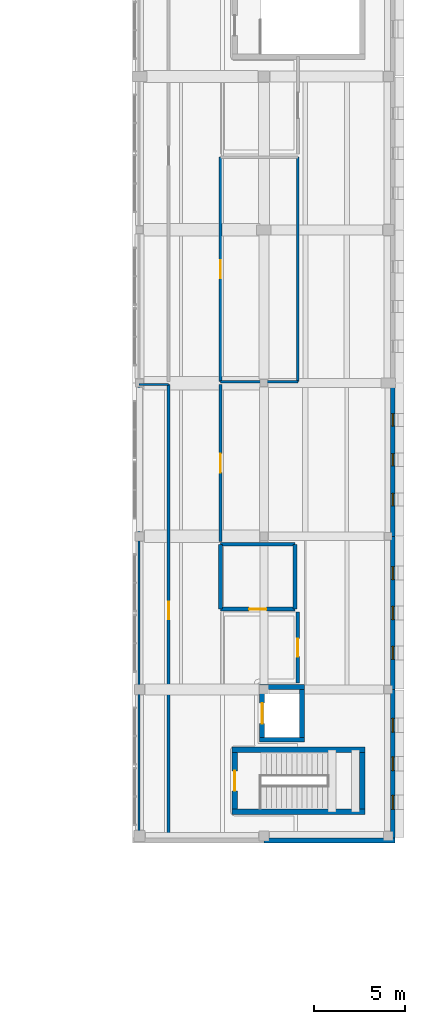
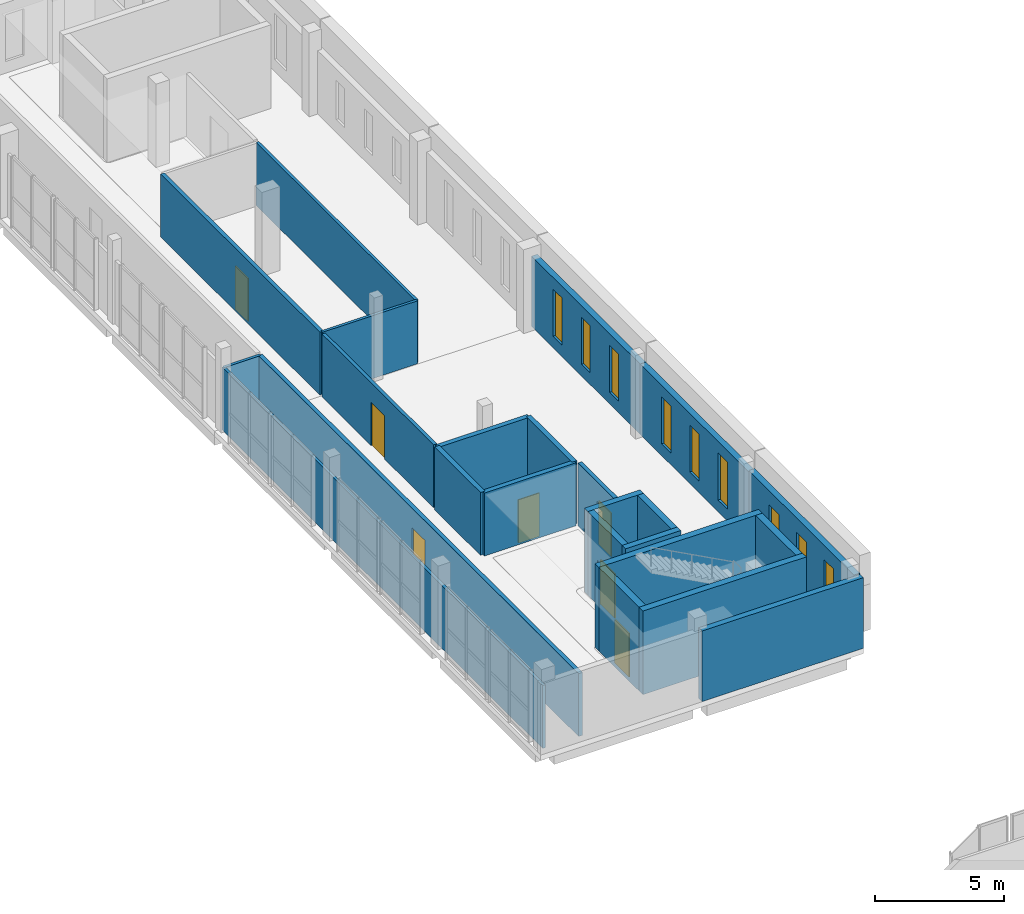
# One storey, part 44 of 56: 24 walls, 9 windows, 7 doors, 16 openings.
"""IFC4 building model written with IfcOpenShell, lengths in metres."""

from ifc_helpers import new_model, si_unit, direction, frame, frame_2d, origin, place, context, subcontext, project, spatial, rectangle, extrude, material, layer, layer_set, type_object, element, fill, save


model = new_model("IFC4")

# Units and contexts
model_context = context("Model", 3, precision=1e-05, world=origin(), true_north=direction((0.0, 1.0)))
body_context = subcontext(model_context, "Body", "Model", "MODEL_VIEW")
ifc_project = project(units=[si_unit("LENGTHUNIT", "METRE"), si_unit("AREAUNIT", "SQUARE_METRE"), si_unit("VOLUMEUNIT", "CUBIC_METRE"), si_unit("PLANEANGLEUNIT", "RADIAN"), si_unit("MASSUNIT", "GRAM", prefix="KILO")], contexts=[model_context])

# Site, building, storey
site_placement = place(None, origin())
site = spatial("IfcSite", under=ifc_project, at=site_placement, CompositionType="ELEMENT")
building_placement = place(site_placement, origin())
building = spatial("IfcBuilding", under=site, at=building_placement, Name="Vardoun Plaza Health Centre", CompositionType="ELEMENT")
storey_placement = place(building_placement, frame((0.0, 0.0, 8.699951171875)))
storey = spatial("IfcBuildingStorey", under=building, at=storey_placement, Name="L02", CompositionType="ELEMENT", Elevation=8.699951171875)

# Wall
ifc_material_1 = material(Name="Concrete C40/50", Category="concrete")
ifc_layer_1 = layer(ifc_material_1, 0.27001953125)
ifc_layer_set_1 = layer_set([ifc_layer_1], Name="Concrete C40/50")
wall_type_1 = type_object("IfcWallType", Name="SW-03", PredefinedType="SHEAR", material=ifc_layer_set_1)
wall_1_placement = place(storey_placement, frame((160.3349609375, 41.949951171875, 0.0), z_axis=(0.0, 0.0, 1.0), x_axis=(-1.0, 0.0, 0.0)))
element("IfcWall", 1, at=wall_1_placement, inside=storey, type_object=wall_type_1, Name="Lift LP-05 L02 Shaft Wall S", PredefinedType="SHEAR", context=body_context, shape_type="SweptSolid", body=[
    extrude(rectangle(XDim=2.469970703125, YDim=0.27001953125, at=frame_2d((1.23486328125, 0.0))), origin(), (0.0, 0.0, 1.0), 3.949951171875),
])

# Wall, opening, door
wall_2_placement = place(storey_placement, frame((158.0, 42.0849609375, 0.0), z_axis=(0.0, 0.0, 1.0), x_axis=(0.0, 1.0, 0.0)))
wall_2 = element("IfcWall", 2, at=wall_2_placement, inside=storey, type_object=wall_type_1, Name="Lift LP-05 L02 Shaft Wall W", PredefinedType="SHEAR", context=body_context, shape_type="SweptSolid", body=[
    extrude(rectangle(XDim=2.630126953125, YDim=0.27001953125, at=frame_2d((1.31494140625, 0.0))), origin(), (0.0, 0.0, 1.0), 3.949951171875),
])
opening_1_placement = place(wall_2_placement, frame((0.7548828125, 0.0, 0.0)))
opening_1 = element("IfcOpeningElement", 3, at=opening_1_placement, cuts=wall_2, Name="Opening LD-LP-05-L02", PredefinedType="OPENING", context=body_context, shape_type="SweptSolid", body=[
    extrude(rectangle(XDim=1.1201171875, YDim=2.10009765625, at=frame_2d((0.56005859375, 1.050048828125))), frame((0.0, 0.135009765625, 0.0), z_axis=(0.0, -1.0, 0.0), x_axis=(1.0, 0.0, 0.0)), (0.0, 0.0, 1.0), 0.27001953125),
])
ifc_material_2 = material(Name="Brushed Stainless Steel Grade 316L", Category="steel")
door_type_1 = type_object("IfcDoorType", Name="LD-01", OperationType="DOUBLE_DOOR_SLIDING", PredefinedType="DOOR", material=ifc_material_2)
door_1_placement = place(opening_1_placement, origin())
door_1 = element("IfcDoor", 4, at=door_1_placement, inside=storey, type_object=door_type_1, Name="Lift LP-05 L02 Sliding Landing Door", OperationType="DOUBLE_DOOR_SLIDING", OverallHeight=2.10009765625, OverallWidth=1.1201171875, PredefinedType="DOOR", context=body_context, shape_type="SweptSolid", body=[
    extrude(rectangle(XDim=1.1201171875, YDim=2.10009765625, at=frame_2d((0.56005859375, 1.050048828125))), frame((0.0, 0.02490234375, 0.0), z_axis=(0.0, -1.0, 0.0), x_axis=(1.0, 0.0, 0.0)), (0.0, 0.0, 1.0), 0.050048828125),
])
fill(opening_1, door_1)

# Walls
wall_3_placement = place(storey_placement, frame((157.864990234375, 44.85009765625, 0.0), z_axis=(0.0, 0.0, 1.0), x_axis=(1.0, 0.0, 0.0)))
element("IfcWall", 5, at=wall_3_placement, inside=storey, type_object=wall_type_1, Name="Lift LP-05 L02 Shaft Wall N", PredefinedType="SHEAR", context=body_context, shape_type="SweptSolid", body=[
    extrude(rectangle(XDim=2.469970703125, YDim=0.27001953125, at=frame_2d((1.23486328125, 0.0))), origin(), (0.0, 0.0, 1.0), 3.949951171875),
])
wall_4_placement = place(storey_placement, frame((160.199951171875, 44.715087890625, 0.0), z_axis=(0.0, 0.0, 1.0), x_axis=(0.0, -1.0, 0.0)))
element("IfcWall", 6, at=wall_4_placement, inside=storey, type_object=wall_type_1, Name="Lift LP-05 L02 Shaft Wall E", PredefinedType="SHEAR", context=body_context, shape_type="SweptSolid", body=[
    extrude(rectangle(XDim=2.630126953125, YDim=0.27001953125, at=frame_2d((1.31494140625, 0.0))), origin(), (0.0, 0.0, 1.0), 3.949951171875),
])
ifc_material_3 = material(Name="Concrete C40/50", Category="concrete")
ifc_layer_2 = layer(ifc_material_3, 0.300048828125)
ifc_layer_set_2 = layer_set([ifc_layer_2], Name="Concrete C40/50")
wall_type_2 = type_object("IfcWallType", Name="SW-01", PredefinedType="SHEAR", material=ifc_layer_set_2)
wall_5_placement = place(storey_placement, frame((163.64990234375, 38.0, 0.0), z_axis=(0.0, 0.0, 1.0), x_axis=(-1.0, 0.0, 0.0)))
element("IfcWall", 7, at=wall_5_placement, inside=storey, type_object=wall_type_2, Name="Core C10 L02 Shear Wall S", PredefinedType="SHEAR", context=body_context, shape_type="SweptSolid", body=[
    extrude(rectangle(XDim=7.2998046875, YDim=0.300048828125, at=frame_2d((3.64990234375, 0.0))), origin(), (0.0, 0.0, 1.0), 3.949951171875),
])

# Wall, opening, door
wall_6_placement = place(storey_placement, frame((156.5, 38.14990234375, 0.0), z_axis=(0.0, 0.0, 1.0), x_axis=(0.0, 1.0, 0.0)))
wall_6 = element("IfcWall", 8, at=wall_6_placement, inside=storey, type_object=wall_type_2, Name="Core C10 L02 Shear Wall W", PredefinedType="SHEAR", context=body_context, shape_type="SweptSolid", body=[
    extrude(rectangle(XDim=3.10009765625, YDim=0.300048828125, at=frame_2d((1.550048828125, 0.0))), origin(), (0.0, 0.0, 1.0), 3.949951171875),
])
opening_2_placement = place(wall_6_placement, frame((1.0, 0.0, 0.0)))
opening_2 = element("IfcOpeningElement", 9, at=opening_2_placement, cuts=wall_6, Name="Opening SD-C10-L02", PredefinedType="OPENING", context=body_context, shape_type="SweptSolid", body=[
    extrude(rectangle(XDim=1.10009765625, YDim=2.050048828125, at=frame_2d((0.550048828125, 1.02490234375))), frame((0.0, 0.14990234375, 0.0), z_axis=(0.0, -1.0, 0.0), x_axis=(1.0, 0.0, 0.0)), (0.0, 0.0, 1.0), 0.300048828125),
])
ifc_material_4 = material(Name="Brushed Stainless Steel Grade 316L", Category="steel")
door_type_2 = type_object("IfcDoorType", Name="FD-01", OperationType="NOTDEFINED", PredefinedType="DOOR", material=ifc_material_4)
door_2_placement = place(opening_2_placement, origin())
door_2 = element("IfcDoor", 10, at=door_2_placement, inside=storey, type_object=door_type_2, Name="Stair C10 L02 Fire Door", OperationType="SINGLE_SWING_RIGHT", OverallHeight=2.050048828125, OverallWidth=1.10009765625, PredefinedType="DOOR", context=body_context, shape_type="SweptSolid", body=[
    extrude(rectangle(XDim=1.10009765625, YDim=2.050048828125, at=frame_2d((0.550048828125, 1.02490234375))), frame((0.0, 0.02490234375, 0.0), z_axis=(0.0, -1.0, 0.0), x_axis=(1.0, 0.0, 0.0)), (0.0, 0.0, 1.0), 0.050048828125),
])
fill(opening_2, door_2)

# Walls
wall_7_placement = place(storey_placement, frame((156.35009765625, 41.39990234375, 0.0), z_axis=(0.0, 0.0, 1.0), x_axis=(1.0, 0.0, 0.0)))
element("IfcWall", 11, at=wall_7_placement, inside=storey, type_object=wall_type_2, Name="Core C10 L02 Shear Wall N", PredefinedType="SHEAR", context=body_context, shape_type="SweptSolid", body=[
    extrude(rectangle(XDim=7.2998046875, YDim=0.300048828125, at=frame_2d((3.64990234375, 0.0))), origin(), (0.0, 0.0, 1.0), 3.949951171875),
])
wall_8_placement = place(storey_placement, frame((163.5, 41.25, 0.0), z_axis=(0.0, 0.0, 1.0), x_axis=(0.0, -1.0, 0.0)))
element("IfcWall", 12, at=wall_8_placement, inside=storey, type_object=wall_type_2, Name="Core C10 L02 Shear Wall E", PredefinedType="SHEAR", context=body_context, shape_type="SweptSolid", body=[
    extrude(rectangle(XDim=3.10009765625, YDim=0.300048828125, at=frame_2d((1.550048828125, 0.0))), origin(), (0.0, 0.0, 1.0), 3.949951171875),
])

# Wall, openings, windows
ifc_material_5 = material(Name="Pale Limestone Concrete C35/45", Category="masonry")
ifc_layer_3 = layer(ifc_material_5, 0.264892578125)
ifc_layer_set_3 = layer_set([ifc_layer_3], Name="Pale Limestone Concrete C35/45")
wall_type_3 = type_object("IfcWallType", Name="EW-06", PredefinedType="STANDARD", material=ifc_layer_set_3)
wall_9_placement = place(storey_placement, frame((165.16748046875, 61.5, 0.0), z_axis=(0.0, 0.0, 1.0), x_axis=(0.0, -1.0, 0.0)))
wall_9 = element("IfcWall", 13, at=wall_9_placement, inside=storey, type_object=wall_type_3, Name="V6 L02 Exterior Wall EW-V6-440", PredefinedType="STANDARD", context=body_context, shape_type="SweptSolid", body=[
    extrude(rectangle(XDim=8.39990234375, YDim=0.264892578125, at=frame_2d((4.199951171875, 0.0))), origin(), (0.0, 0.0, 1.0), 3.31494140625),
])
opening_3_placement = place(wall_9_placement, frame((1.676025390625, 0.0, 0.550048828125)))
opening_3 = element("IfcOpeningElement", 14, at=opening_3_placement, cuts=wall_9, Name="Opening W-13-018", PredefinedType="OPENING", context=body_context, shape_type="SweptSolid", body=[
    extrude(rectangle(XDim=0.679931640625, YDim=2.219970703125, at=frame_2d((0.33984375, 1.10986328125))), frame((0.0, 0.13232421875, 0.0), z_axis=(0.0, -1.0, 0.0), x_axis=(1.0, 0.0, 0.0)), (0.0, 0.0, 1.0), 0.264892578125),
])
opening_4_placement = place(wall_9_placement, frame((3.860107421875, 0.0, 0.550048828125)))
opening_4 = element("IfcOpeningElement", 15, at=opening_4_placement, cuts=wall_9, Name="Opening W-13-019", PredefinedType="OPENING", context=body_context, shape_type="SweptSolid", body=[
    extrude(rectangle(XDim=0.679931640625, YDim=2.219970703125, at=frame_2d((0.33984375, 1.10986328125))), frame((0.0, 0.13232421875, 0.0), z_axis=(0.0, -1.0, 0.0), x_axis=(1.0, 0.0, 0.0)), (0.0, 0.0, 1.0), 0.264892578125),
])
opening_5_placement = place(wall_9_placement, frame((6.0439453125, 0.0, 0.550048828125)))
opening_5 = element("IfcOpeningElement", 16, at=opening_5_placement, cuts=wall_9, Name="Opening W-13-020", PredefinedType="OPENING", context=body_context, shape_type="SweptSolid", body=[
    extrude(rectangle(XDim=0.679931640625, YDim=2.219970703125, at=frame_2d((0.33984375, 1.10986328125))), frame((0.0, 0.13232421875, 0.0), z_axis=(0.0, -1.0, 0.0), x_axis=(1.0, 0.0, 0.0)), (0.0, 0.0, 1.0), 0.264892578125),
])
ifc_material_6 = material(Name="Aluminium Alloy EN AW-6063-T6 and Low-E Glass", Category="aluminium")
window_type_1 = type_object("IfcWindowType", Name="W-13", PartitioningType="SINGLE_PANEL", PredefinedType="WINDOW", material=ifc_material_6)
window_1_placement = place(opening_3_placement, origin())
window_1 = element("IfcWindow", 17, at=window_1_placement, inside=storey, type_object=window_type_1, Name="V6 L02 Deep-Punched Slot Window W-13-687", OverallHeight=2.219970703125, OverallWidth=0.679931640625, PartitioningType="SINGLE_PANEL", PredefinedType="WINDOW", context=body_context, shape_type="SweptSolid", body=[
    extrude(rectangle(XDim=0.679931640625, YDim=2.219970703125, at=frame_2d((0.33984375, 1.10986328125))), frame((0.0, 0.030029296875, 0.0), z_axis=(0.0, -1.0, 0.0), x_axis=(1.0, 0.0, 0.0)), (0.0, 0.0, 1.0), 0.06005859375),
])
fill(opening_3, window_1)
window_2_placement = place(opening_4_placement, origin())
window_2 = element("IfcWindow", 18, at=window_2_placement, inside=storey, type_object=window_type_1, Name="V6 L02 Deep-Punched Slot Window W-13-688", OverallHeight=2.219970703125, OverallWidth=0.679931640625, PartitioningType="SINGLE_PANEL", PredefinedType="WINDOW", context=body_context, shape_type="SweptSolid", body=[
    extrude(rectangle(XDim=0.679931640625, YDim=2.219970703125, at=frame_2d((0.33984375, 1.10986328125))), frame((0.0, 0.030029296875, 0.0), z_axis=(0.0, -1.0, 0.0), x_axis=(1.0, 0.0, 0.0)), (0.0, 0.0, 1.0), 0.06005859375),
])
fill(opening_4, window_2)
window_3_placement = place(opening_5_placement, origin())
window_3 = element("IfcWindow", 19, at=window_3_placement, inside=storey, type_object=window_type_1, Name="V6 L02 Deep-Punched Slot Window W-13-689", OverallHeight=2.219970703125, OverallWidth=0.679931640625, PartitioningType="SINGLE_PANEL", PredefinedType="WINDOW", context=body_context, shape_type="SweptSolid", body=[
    extrude(rectangle(XDim=0.679931640625, YDim=2.219970703125, at=frame_2d((0.33984375, 1.10986328125))), frame((0.0, 0.030029296875, 0.0), z_axis=(0.0, -1.0, 0.0), x_axis=(1.0, 0.0, 0.0)), (0.0, 0.0, 1.0), 0.06005859375),
])
fill(opening_5, window_3)

wall_10_placement = place(storey_placement, frame((165.16748046875, 53.10009765625, 0.0), z_axis=(0.0, 0.0, 1.0), x_axis=(0.0, -1.0, 0.0)))
wall_10 = element("IfcWall", 20, at=wall_10_placement, inside=storey, type_object=wall_type_3, Name="V6 L02 Exterior Wall EW-V6-441", PredefinedType="STANDARD", context=body_context, shape_type="SweptSolid", body=[
    extrude(rectangle(XDim=8.400146484375, YDim=0.264892578125, at=frame_2d((4.2001953125, 0.0))), origin(), (0.0, 0.0, 1.0), 3.31494140625),
])
opening_6_placement = place(wall_10_placement, frame((1.656005859375, 0.0, 0.550048828125)))
opening_6 = element("IfcOpeningElement", 21, at=opening_6_placement, cuts=wall_10, Name="Opening W-14-011", PredefinedType="OPENING", context=body_context, shape_type="SweptSolid", body=[
    extrude(rectangle(XDim=0.719970703125, YDim=2.219970703125, at=frame_2d((0.35986328125, 1.10986328125))), frame((0.0, 0.13232421875, 0.0), z_axis=(0.0, -1.0, 0.0), x_axis=(1.0, 0.0, 0.0)), (0.0, 0.0, 1.0), 0.264892578125),
])
opening_7_placement = place(wall_10_placement, frame((3.840087890625, 0.0, 0.550048828125)))
opening_7 = element("IfcOpeningElement", 22, at=opening_7_placement, cuts=wall_10, Name="Opening W-14-012", PredefinedType="OPENING", context=body_context, shape_type="SweptSolid", body=[
    extrude(rectangle(XDim=0.719970703125, YDim=2.219970703125, at=frame_2d((0.35986328125, 1.10986328125))), frame((0.0, 0.13232421875, 0.0), z_axis=(0.0, -1.0, 0.0), x_axis=(1.0, 0.0, 0.0)), (0.0, 0.0, 1.0), 0.264892578125),
])
opening_8_placement = place(wall_10_placement, frame((6.02392578125, 0.0, 0.550048828125)))
opening_8 = element("IfcOpeningElement", 23, at=opening_8_placement, cuts=wall_10, Name="Opening W-14-013", PredefinedType="OPENING", context=body_context, shape_type="SweptSolid", body=[
    extrude(rectangle(XDim=0.719970703125, YDim=2.219970703125, at=frame_2d((0.35986328125, 1.10986328125))), frame((0.0, 0.13232421875, 0.0), z_axis=(0.0, -1.0, 0.0), x_axis=(1.0, 0.0, 0.0)), (0.0, 0.0, 1.0), 0.264892578125),
])
ifc_material_7 = material(Name="Aluminium Alloy EN AW-6063-T6 and Low-E Glass", Category="aluminium")
window_type_2 = type_object("IfcWindowType", Name="W-14", PartitioningType="SINGLE_PANEL", PredefinedType="WINDOW", material=ifc_material_7)
window_4_placement = place(opening_6_placement, origin())
window_4 = element("IfcWindow", 24, at=window_4_placement, inside=storey, type_object=window_type_2, Name="V6 L02 Deep-Punched Slot Window W-14-690", OverallHeight=2.219970703125, OverallWidth=0.719970703125, PartitioningType="SINGLE_PANEL", PredefinedType="WINDOW", context=body_context, shape_type="SweptSolid", body=[
    extrude(rectangle(XDim=0.719970703125, YDim=2.219970703125, at=frame_2d((0.35986328125, 1.10986328125))), frame((0.0, 0.030029296875, 0.0), z_axis=(0.0, -1.0, 0.0), x_axis=(1.0, 0.0, 0.0)), (0.0, 0.0, 1.0), 0.06005859375),
])
fill(opening_6, window_4)
window_5_placement = place(opening_7_placement, origin())
window_5 = element("IfcWindow", 25, at=window_5_placement, inside=storey, type_object=window_type_2, Name="V6 L02 Deep-Punched Slot Window W-14-691", OverallHeight=2.219970703125, OverallWidth=0.719970703125, PartitioningType="SINGLE_PANEL", PredefinedType="WINDOW", context=body_context, shape_type="SweptSolid", body=[
    extrude(rectangle(XDim=0.719970703125, YDim=2.219970703125, at=frame_2d((0.35986328125, 1.10986328125))), frame((0.0, 0.030029296875, 0.0), z_axis=(0.0, -1.0, 0.0), x_axis=(1.0, 0.0, 0.0)), (0.0, 0.0, 1.0), 0.06005859375),
])
fill(opening_7, window_5)
window_6_placement = place(opening_8_placement, origin())
window_6 = element("IfcWindow", 26, at=window_6_placement, inside=storey, type_object=window_type_2, Name="V6 L02 Deep-Punched Slot Window W-14-692", OverallHeight=2.219970703125, OverallWidth=0.719970703125, PartitioningType="SINGLE_PANEL", PredefinedType="WINDOW", context=body_context, shape_type="SweptSolid", body=[
    extrude(rectangle(XDim=0.719970703125, YDim=2.219970703125, at=frame_2d((0.35986328125, 1.10986328125))), frame((0.0, 0.030029296875, 0.0), z_axis=(0.0, -1.0, 0.0), x_axis=(1.0, 0.0, 0.0)), (0.0, 0.0, 1.0), 0.06005859375),
])
fill(opening_8, window_6)

wall_11_placement = place(storey_placement, frame((165.16748046875, 44.699951171875, 0.0), z_axis=(0.0, 0.0, 1.0), x_axis=(0.0, -1.0, 0.0)))
wall_11 = element("IfcWall", 27, at=wall_11_placement, inside=storey, type_object=wall_type_3, Name="V6 L02 Exterior Wall EW-V6-442", PredefinedType="STANDARD", context=body_context, shape_type="SweptSolid", body=[
    extrude(rectangle(XDim=8.135009765625, YDim=0.264892578125, at=frame_2d((4.0673828125, 0.0))), origin(), (0.0, 0.0, 1.0), 3.385009765625),
])
opening_9_placement = place(wall_11_placement, frame((1.572509765625, 0.0, 0.550048828125)))
opening_9 = element("IfcOpeningElement", 28, at=opening_9_placement, cuts=wall_11, Name="Opening W-15-010", PredefinedType="OPENING", context=body_context, shape_type="SweptSolid", body=[
    extrude(rectangle(XDim=0.760009765625, YDim=2.159912109375, at=frame_2d((0.3798828125, 1.080078125))), frame((0.0, 0.13232421875, 0.0), z_axis=(0.0, -1.0, 0.0), x_axis=(1.0, 0.0, 0.0)), (0.0, 0.0, 1.0), 0.264892578125),
])
opening_10_placement = place(wall_11_placement, frame((3.6875, 0.0, 0.550048828125)))
opening_10 = element("IfcOpeningElement", 29, at=opening_10_placement, cuts=wall_11, Name="Opening W-15-011", PredefinedType="OPENING", context=body_context, shape_type="SweptSolid", body=[
    extrude(rectangle(XDim=0.760009765625, YDim=2.159912109375, at=frame_2d((0.3798828125, 1.080078125))), frame((0.0, 0.13232421875, 0.0), z_axis=(0.0, -1.0, 0.0), x_axis=(1.0, 0.0, 0.0)), (0.0, 0.0, 1.0), 0.264892578125),
])
opening_11_placement = place(wall_11_placement, frame((5.802490234375, 0.0, 0.550048828125)))
opening_11 = element("IfcOpeningElement", 30, at=opening_11_placement, cuts=wall_11, Name="Opening W-15-012", PredefinedType="OPENING", context=body_context, shape_type="SweptSolid", body=[
    extrude(rectangle(XDim=0.760009765625, YDim=2.159912109375, at=frame_2d((0.3798828125, 1.080078125))), frame((0.0, 0.13232421875, 0.0), z_axis=(0.0, -1.0, 0.0), x_axis=(1.0, 0.0, 0.0)), (0.0, 0.0, 1.0), 0.264892578125),
])
ifc_material_8 = material(Name="Aluminium Alloy EN AW-6063-T6 and Low-E Glass", Category="aluminium")
window_type_3 = type_object("IfcWindowType", Name="W-15", PartitioningType="SINGLE_PANEL", PredefinedType="WINDOW", material=ifc_material_8)
window_7_placement = place(opening_9_placement, origin())
window_7 = element("IfcWindow", 31, at=window_7_placement, inside=storey, type_object=window_type_3, Name="V6 L02 Deep-Punched Slot Window W-15-693", OverallHeight=2.159912109375, OverallWidth=0.760009765625, PartitioningType="SINGLE_PANEL", PredefinedType="WINDOW", context=body_context, shape_type="SweptSolid", body=[
    extrude(rectangle(XDim=0.760009765625, YDim=2.159912109375, at=frame_2d((0.3798828125, 1.080078125))), frame((0.0, 0.030029296875, 0.0), z_axis=(0.0, -1.0, 0.0), x_axis=(1.0, 0.0, 0.0)), (0.0, 0.0, 1.0), 0.06005859375),
])
fill(opening_9, window_7)
window_8_placement = place(opening_10_placement, origin())
window_8 = element("IfcWindow", 32, at=window_8_placement, inside=storey, type_object=window_type_3, Name="V6 L02 Deep-Punched Slot Window W-15-694", OverallHeight=2.159912109375, OverallWidth=0.760009765625, PartitioningType="SINGLE_PANEL", PredefinedType="WINDOW", context=body_context, shape_type="SweptSolid", body=[
    extrude(rectangle(XDim=0.760009765625, YDim=2.159912109375, at=frame_2d((0.3798828125, 1.080078125))), frame((0.0, 0.030029296875, 0.0), z_axis=(0.0, -1.0, 0.0), x_axis=(1.0, 0.0, 0.0)), (0.0, 0.0, 1.0), 0.06005859375),
])
fill(opening_10, window_8)
window_9_placement = place(opening_11_placement, origin())
window_9 = element("IfcWindow", 33, at=window_9_placement, inside=storey, type_object=window_type_3, Name="V6 L02 Deep-Punched Slot Window W-15-695", OverallHeight=2.159912109375, OverallWidth=0.760009765625, PartitioningType="SINGLE_PANEL", PredefinedType="WINDOW", context=body_context, shape_type="SweptSolid", body=[
    extrude(rectangle(XDim=0.760009765625, YDim=2.159912109375, at=frame_2d((0.3798828125, 1.080078125))), frame((0.0, 0.030029296875, 0.0), z_axis=(0.0, -1.0, 0.0), x_axis=(1.0, 0.0, 0.0)), (0.0, 0.0, 1.0), 0.06005859375),
])
fill(opening_11, window_9)

# Wall
wall_12_placement = place(storey_placement, frame((165.300048828125, 36.4326171875, 0.0), z_axis=(0.0, 0.0, 1.0), x_axis=(-1.0, 0.0, 0.0)))
element("IfcWall", 34, at=wall_12_placement, inside=storey, type_object=wall_type_3, Name="V6 L02 Exterior Wall EW-V6-443", PredefinedType="STANDARD", context=body_context, shape_type="SweptSolid", body=[
    extrude(rectangle(XDim=7.199951171875, YDim=0.264892578125, at=frame_2d((3.60009765625, 0.0))), origin(), (0.0, 0.0, 1.0), 3.3349609375),
])

# Wall, opening, door
ifc_material_9 = material(Name="Acoustic Gypsum Twin-Stud", Category="steel")
ifc_layer_4 = layer(ifc_material_9, 0.14990234375)
ifc_layer_set_4 = layer_set([ifc_layer_4], Name="Acoustic Gypsum Twin-Stud")
wall_type_4 = type_object("IfcWallType", Name="IW-04", PredefinedType="PARTITIONING", material=ifc_layer_set_4)
wall_13_placement = place(storey_placement, frame((155.719970703125, 52.805908203125, 0.0), z_axis=(0.0, 0.0, 1.0), x_axis=(0.0, 1.0, 0.0)))
wall_13 = element("IfcWall", 35, at=wall_13_placement, inside=storey, type_object=wall_type_4, Name="Quiet Waiting Lounge L02 Partition Wall", PredefinedType="PARTITIONING", context=body_context, shape_type="SweptSolid", body=[
    extrude(rectangle(XDim=8.614013671875, YDim=0.14990234375, at=frame_2d((4.30712890625, 0.0))), origin(), (0.0, 0.0, 1.0), 2.969970703125),
])
opening_12_placement = place(wall_13_placement, frame((3.787109375, 0.0, 0.0)))
opening_12 = element("IfcOpeningElement", 36, at=opening_12_placement, cuts=wall_13, Name="Opening D-L02-179", PredefinedType="OPENING", context=body_context, shape_type="SweptSolid", body=[
    extrude(rectangle(XDim=1.0400390625, YDim=2.050048828125, at=frame_2d((0.52001953125, 1.02490234375))), frame((0.0, 0.074951171875, 0.0), z_axis=(0.0, -1.0, 0.0), x_axis=(1.0, 0.0, 0.0)), (0.0, 0.0, 1.0), 0.14990234375),
])
ifc_material_10 = material(Name="Antimicrobial Acoustic Timber and Steel S275JR", Category="steel")
door_type_3 = type_object("IfcDoorType", Name="CD-04", OperationType="NOTDEFINED", PredefinedType="DOOR", material=ifc_material_10)
door_3_placement = place(opening_12_placement, origin())
door_3 = element("IfcDoor", 37, at=door_3_placement, inside=storey, type_object=door_type_3, Name="Quiet Waiting Lounge L02 Door D-L02-179", OperationType="SINGLE_SWING_LEFT", OverallHeight=2.050048828125, OverallWidth=1.0400390625, PredefinedType="DOOR", context=body_context, shape_type="SweptSolid", body=[
    extrude(rectangle(XDim=1.0400390625, YDim=2.050048828125, at=frame_2d((0.52001953125, 1.02490234375))), frame((0.0, 0.02490234375, 0.0), z_axis=(0.0, -1.0, 0.0), x_axis=(1.0, 0.0, 0.0)), (0.0, 0.0, 1.0), 0.050048828125),
])
fill(opening_12, door_3)

# Walls
ifc_material_11 = material(Name="Standard Clinical Sub-Partition", Category="steel")
ifc_layer_5 = layer(ifc_material_11, 0.125)
ifc_layer_set_5 = layer_set([ifc_layer_5], Name="Standard Clinical Sub-Partition")
wall_type_5 = type_object("IfcWallType", Name="IW-11", PredefinedType="PARTITIONING", material=ifc_layer_set_5)
wall_14_placement = place(storey_placement, frame((159.9599609375, 61.580078125, 0.0), z_axis=(0.0, 0.0, 1.0), x_axis=(-1.0, 0.0, 0.0)))
element("IfcWall", 38, at=wall_14_placement, inside=storey, type_object=wall_type_5, Name="Mental Health Counselling Room 1 Enclosure Partition", PredefinedType="PARTITIONING", context=body_context, shape_type="SweptSolid", body=[
    extrude(rectangle(XDim=4.239990234375, YDim=0.125, at=frame_2d((2.1201171875, 0.0))), origin(), (0.0, 0.0, 1.0), 2.969970703125),
])
wall_15_placement = place(storey_placement, frame((159.9599609375, 73.885009765625, 0.0), z_axis=(0.0, 0.0, 1.0), x_axis=(0.0, -1.0, 0.0)))
element("IfcWall", 39, at=wall_15_placement, inside=storey, type_object=wall_type_5, Name="Mental Health Counselling Room 1 Enclosure Partition", PredefinedType="PARTITIONING", context=body_context, shape_type="SweptSolid", body=[
    extrude(rectangle(XDim=12.304931640625, YDim=0.125, at=frame_2d((6.15234375, 0.0))), origin(), (0.0, 0.0, 1.0), 2.969970703125),
])
wall_16_placement = place(storey_placement, frame((151.25, 36.64990234375, 0.0), z_axis=(0.0, 0.0, 1.0), x_axis=(0.0, 1.0, 0.0)))
element("IfcWall", 40, at=wall_16_placement, inside=storey, type_object=wall_type_5, Name="Mental Health Counselling Room 2 Enclosure Partition", PredefinedType="PARTITIONING", context=body_context, shape_type="SweptSolid", body=[
    extrude(rectangle(XDim=24.77001953125, YDim=0.125, at=frame_2d((12.385009765625, 0.0))), origin(), (0.0, 0.0, 1.0), 2.969970703125),
])
wall_17_placement = place(storey_placement, frame((151.25, 61.419921875, 0.0), z_axis=(0.0, 0.0, 1.0), x_axis=(1.0, 0.0, 0.0)))
element("IfcWall", 41, at=wall_17_placement, inside=storey, type_object=wall_type_5, Name="Mental Health Counselling Room 2 Enclosure Partition", PredefinedType="PARTITIONING", context=body_context, shape_type="SweptSolid", body=[
    extrude(rectangle(XDim=1.6298828125, YDim=0.125, at=frame_2d((0.81494140625, 0.0))), origin(), (0.0, 0.0, 1.0), 2.969970703125),
])

# Wall, opening, door
ifc_material_12 = material(Name="STC 55 High-Privacy Counselling Wall", Category="steel")
ifc_layer_6 = layer(ifc_material_12, 0.172119140625)
ifc_layer_set_6 = layer_set([ifc_layer_6], Name="STC 55 High-Privacy Counselling Wall")
wall_type_6 = type_object("IfcWallType", Name="IW-09", PredefinedType="PARTITIONING", material=ifc_layer_set_6)
wall_18_placement = place(storey_placement, frame((155.719970703125, 61.580078125, 0.0), z_axis=(0.0, 0.0, 1.0), x_axis=(0.0, 1.0, 0.0)))
wall_18 = element("IfcWall", 42, at=wall_18_placement, inside=storey, type_object=wall_type_6, Name="Mental Health Counselling Room 1 Partition Wall", PredefinedType="PARTITIONING", context=body_context, shape_type="SweptSolid", body=[
    extrude(rectangle(XDim=12.304931640625, YDim=0.172119140625, at=frame_2d((6.15234375, 0.0))), origin(), (0.0, 0.0, 1.0), 2.969970703125),
])
opening_13_placement = place(wall_18_placement, frame((5.66259765625, 0.0, 0.0)))
opening_13 = element("IfcOpeningElement", 43, at=opening_13_placement, cuts=wall_18, Name="Opening D-L02-175", PredefinedType="OPENING", context=body_context, shape_type="SweptSolid", body=[
    extrude(rectangle(XDim=0.97998046875, YDim=2.050048828125, at=frame_2d((0.489990234375, 1.02490234375))), frame((0.0, 0.0859375, 0.0), z_axis=(0.0, -1.0, 0.0), x_axis=(1.0, 0.0, 0.0)), (0.0, 0.0, 1.0), 0.172119140625),
])
ifc_material_13 = material(Name="Antimicrobial Acoustic Timber and Steel S275JR", Category="steel")
door_type_4 = type_object("IfcDoorType", Name="CD-06", OperationType="NOTDEFINED", PredefinedType="DOOR", material=ifc_material_13)
door_4_placement = place(opening_13_placement, origin())
door_4 = element("IfcDoor", 44, at=door_4_placement, inside=storey, type_object=door_type_4, Name="Mental Health Counselling Room 1 Door D-L02-175", OperationType="SINGLE_SWING_LEFT", OverallHeight=2.050048828125, OverallWidth=0.97998046875, PredefinedType="DOOR", context=body_context, shape_type="SweptSolid", body=[
    extrude(rectangle(XDim=0.97998046875, YDim=2.050048828125, at=frame_2d((0.489990234375, 1.02490234375))), frame((0.0, 0.02490234375, 0.0), z_axis=(0.0, -1.0, 0.0), x_axis=(1.0, 0.0, 0.0)), (0.0, 0.0, 1.0), 0.050048828125),
])
fill(opening_13, door_4)

wall_19_placement = place(storey_placement, frame((152.8798828125, 61.419921875, 0.0), z_axis=(0.0, 0.0, 1.0), x_axis=(0.0, -1.0, 0.0)))
wall_19 = element("IfcWall", 45, at=wall_19_placement, inside=storey, type_object=wall_type_6, Name="Mental Health Counselling Room 2 Partition Wall", PredefinedType="PARTITIONING", context=body_context, shape_type="SweptSolid", body=[
    extrude(rectangle(XDim=24.77001953125, YDim=0.172119140625, at=frame_2d((12.385009765625, 0.0))), origin(), (0.0, 0.0, 1.0), 2.969970703125),
])
opening_14_placement = place(wall_19_placement, frame((11.89501953125, 0.0, 0.0)))
opening_14 = element("IfcOpeningElement", 46, at=opening_14_placement, cuts=wall_19, Name="Opening D-L02-176", PredefinedType="OPENING", context=body_context, shape_type="SweptSolid", body=[
    extrude(rectangle(XDim=0.97998046875, YDim=2.050048828125, at=frame_2d((0.489990234375, 1.02490234375))), frame((0.0, 0.0859375, 0.0), z_axis=(0.0, -1.0, 0.0), x_axis=(1.0, 0.0, 0.0)), (0.0, 0.0, 1.0), 0.172119140625),
])
door_5_placement = place(opening_14_placement, origin())
door_5 = element("IfcDoor", 47, at=door_5_placement, inside=storey, type_object=door_type_4, Name="Mental Health Counselling Room 2 Door D-L02-176", OperationType="SINGLE_SWING_RIGHT", OverallHeight=2.050048828125, OverallWidth=0.97998046875, PredefinedType="DOOR", context=body_context, shape_type="SweptSolid", body=[
    extrude(rectangle(XDim=0.97998046875, YDim=2.050048828125, at=frame_2d((0.489990234375, 1.02490234375))), frame((0.0, 0.02490234375, 0.0), z_axis=(0.0, -1.0, 0.0), x_axis=(1.0, 0.0, 0.0)), (0.0, 0.0, 1.0), 0.050048828125),
])
fill(opening_14, door_5)

wall_20_placement = place(storey_placement, frame((159.9599609375, 48.955078125, 0.0), z_axis=(0.0, 0.0, 1.0), x_axis=(0.0, -1.0, 0.0)))
wall_20 = element("IfcWall", 48, at=wall_20_placement, inside=storey, type_object=wall_type_6, Name="Mental Health Counselling Room 1 A Partition Wall", PredefinedType="PARTITIONING", context=body_context, shape_type="SweptSolid", body=[
    extrude(rectangle(XDim=3.905029296875, YDim=0.172119140625, at=frame_2d((1.95263671875, 0.0))), origin(), (0.0, 0.0, 1.0), 2.969970703125),
])
opening_15_placement = place(wall_20_placement, frame((1.46240234375, 0.0, 0.0)))
opening_15 = element("IfcOpeningElement", 49, at=opening_15_placement, cuts=wall_20, Name="Opening D-L02-180", PredefinedType="OPENING", context=body_context, shape_type="SweptSolid", body=[
    extrude(rectangle(XDim=0.97998046875, YDim=2.050048828125, at=frame_2d((0.489990234375, 1.02490234375))), frame((0.0, 0.0859375, 0.0), z_axis=(0.0, -1.0, 0.0), x_axis=(1.0, 0.0, 0.0)), (0.0, 0.0, 1.0), 0.172119140625),
])
door_6_placement = place(opening_15_placement, origin())
door_6 = element("IfcDoor", 50, at=door_6_placement, inside=storey, type_object=door_type_4, Name="Mental Health Counselling Room 1 A Door D-L02-180", OperationType="SINGLE_SWING_RIGHT", OverallHeight=2.050048828125, OverallWidth=0.97998046875, PredefinedType="DOOR", context=body_context, shape_type="SweptSolid", body=[
    extrude(rectangle(XDim=0.97998046875, YDim=2.050048828125, at=frame_2d((0.489990234375, 1.02490234375))), frame((0.0, 0.02490234375, 0.0), z_axis=(0.0, -1.0, 0.0), x_axis=(1.0, 0.0, 0.0)), (0.0, 0.0, 1.0), 0.050048828125),
])
fill(opening_15, door_6)

ifc_material_14 = material(Name="Moisture-Resistant Plumbing Chase", Category="steel")
ifc_layer_7 = layer(ifc_material_14, 0.215087890625)
ifc_layer_set_7 = layer_set([ifc_layer_7], Name="Moisture-Resistant Plumbing Chase")
wall_type_7 = type_object("IfcWallType", Name="IW-06", PredefinedType="PLUMBINGWALL", material=ifc_layer_set_7)
wall_21_placement = place(storey_placement, frame((159.803466796875, 49.114990234375, 0.0), z_axis=(0.0, 0.0, 1.0), x_axis=(-1.0, 0.0, 0.0)))
wall_21 = element("IfcWall", 51, at=wall_21_placement, inside=storey, type_object=wall_type_7, Name="Accessible WC L02-V6 Partition Wall", PredefinedType="PLUMBINGWALL", context=body_context, shape_type="SweptSolid", body=[
    extrude(rectangle(XDim=4.08349609375, YDim=0.215087890625, at=frame_2d((2.041748046875, 0.0))), origin(), (0.0, 0.0, 1.0), 2.969970703125),
])
opening_16_placement = place(wall_21_placement, frame((1.56689453125, 0.0, 0.0)))
opening_16 = element("IfcOpeningElement", 52, at=opening_16_placement, cuts=wall_21, Name="Opening D-L02-174", PredefinedType="OPENING", context=body_context, shape_type="SweptSolid", body=[
    extrude(rectangle(XDim=0.949951171875, YDim=2.050048828125, at=frame_2d((0.47509765625, 1.02490234375))), frame((0.0, 0.107421875, 0.0), z_axis=(0.0, -1.0, 0.0), x_axis=(1.0, 0.0, 0.0)), (0.0, 0.0, 1.0), 0.215087890625),
])
ifc_material_15 = material(Name="Antimicrobial Acoustic Timber and Steel S275JR", Category="steel")
door_type_5 = type_object("IfcDoorType", Name="CD-07", OperationType="NOTDEFINED", PredefinedType="DOOR", material=ifc_material_15)
door_7_placement = place(opening_16_placement, origin())
door_7 = element("IfcDoor", 53, at=door_7_placement, inside=storey, type_object=door_type_5, Name="Accessible WC L02-V6 Door D-L02-174", OperationType="SINGLE_SWING_RIGHT", OverallHeight=2.050048828125, OverallWidth=0.949951171875, PredefinedType="DOOR", context=body_context, shape_type="SweptSolid", body=[
    extrude(rectangle(XDim=0.949951171875, YDim=2.050048828125, at=frame_2d((0.47509765625, 1.02490234375))), frame((0.0, 0.02490234375, 0.0), z_axis=(0.0, -1.0, 0.0), x_axis=(1.0, 0.0, 0.0)), (0.0, 0.0, 1.0), 0.050048828125),
])
fill(opening_16, door_7)

# Walls
wall_22_placement = place(storey_placement, frame((155.719970703125, 49.114990234375, 0.0), z_axis=(0.0, 0.0, 1.0), x_axis=(0.0, 1.0, 0.0)))
element("IfcWall", 54, at=wall_22_placement, inside=storey, type_object=wall_type_7, Name="Accessible WC L02-V6 Enclosure Partition", PredefinedType="PLUMBINGWALL", context=body_context, shape_type="SweptSolid", body=[
    extrude(rectangle(XDim=3.551025390625, YDim=0.215087890625, at=frame_2d((1.775390625, 0.0))), origin(), (0.0, 0.0, 1.0), 2.969970703125),
])
wall_23_placement = place(storey_placement, frame((155.719970703125, 52.666015625, 0.0), z_axis=(0.0, 0.0, 1.0), x_axis=(1.0, 0.0, 0.0)))
element("IfcWall", 55, at=wall_23_placement, inside=storey, type_object=wall_type_7, Name="Accessible WC L02-V6 Enclosure Partition", PredefinedType="PLUMBINGWALL", context=body_context, shape_type="SweptSolid", body=[
    extrude(rectangle(XDim=4.08349609375, YDim=0.215087890625, at=frame_2d((2.041748046875, 0.0))), origin(), (0.0, 0.0, 1.0), 2.969970703125),
])
wall_24_placement = place(storey_placement, frame((159.803466796875, 52.666015625, 0.0), z_axis=(0.0, 0.0, 1.0), x_axis=(0.0, -1.0, 0.0)))
element("IfcWall", 56, at=wall_24_placement, inside=storey, type_object=wall_type_7, Name="Accessible WC L02-V6 Enclosure Partition", PredefinedType="PLUMBINGWALL", context=body_context, shape_type="SweptSolid", body=[
    extrude(rectangle(XDim=3.551025390625, YDim=0.215087890625, at=frame_2d((1.775390625, 0.0))), origin(), (0.0, 0.0, 1.0), 2.969970703125),
])

save(model, "model.ifc")
